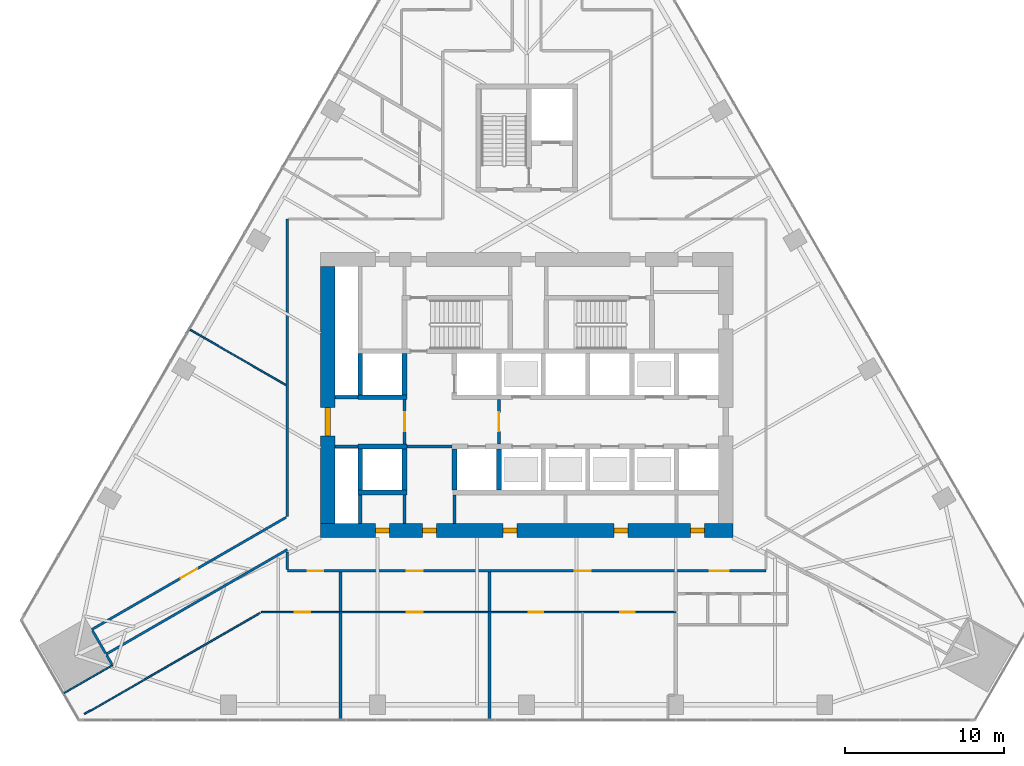
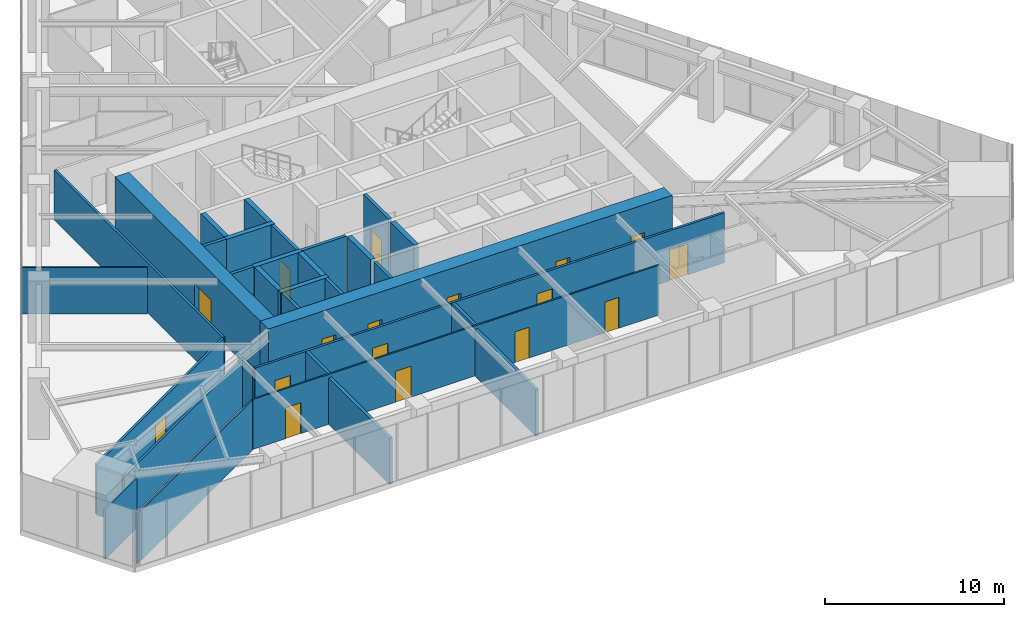
# One storey, part 16 of 21: 35 walls, 17 doors, 17 openings.
"""IFC4 building model written with IfcOpenShell, lengths in metres."""

from ifc_helpers import new_model, si_unit, direction, frame, frame_2d, origin, place, context, subcontext, project, spatial, rectangle, extrude, material, layer, layer_set, type_object, element, fill, save


model = new_model("IFC4")

# Units and contexts
model_context = context("Model", 3, precision=1e-05, world=origin(), true_north=direction((0.0, 1.0)))
body_context = subcontext(model_context, "Body", "Model", "MODEL_VIEW")
ifc_project = project(units=[si_unit("LENGTHUNIT", "METRE"), si_unit("AREAUNIT", "SQUARE_METRE"), si_unit("VOLUMEUNIT", "CUBIC_METRE"), si_unit("PLANEANGLEUNIT", "RADIAN"), si_unit("MASSUNIT", "GRAM", prefix="KILO")], contexts=[model_context])

# Site, building, storey
site_placement = place(None, origin())
site = spatial("IfcSite", under=ifc_project, at=site_placement, CompositionType="ELEMENT")
building_placement = place(site_placement, origin())
building = spatial("IfcBuilding", under=site, at=building_placement, Name="Firuza Gate Tower and Library", CompositionType="ELEMENT")
storey_placement = place(building_placement, frame((0.0, 0.0, 94.60009765625)))
storey = spatial("IfcBuildingStorey", under=building, at=storey_placement, Name="L21", CompositionType="ELEMENT", Elevation=94.60009765625)

# Walls
ifc_material_1 = material(Name="Plasterboard on steel studs", Category="steel")
ifc_layer_1 = layer(ifc_material_1, 0.199951171875)
ifc_layer_set_1 = layer_set([ifc_layer_1], Name="Core partition 200 EI 120")
wall_type_1 = type_object("IfcWallType", Name="Core partition 200 EI 120", PredefinedType="PARTITIONING", material=ifc_layer_set_1)
wall_1_placement = place(storey_placement, frame((62.89990234375, 71.75, 0.0), z_axis=(0.0, 0.0, 1.0), x_axis=(1.0, 0.0, 0.0)))
element("IfcWall", 1, at=wall_1_placement, inside=storey, type_object=wall_type_1, Name="Core partition L21 1", PredefinedType="PARTITIONING", context=body_context, shape_type="SweptSolid", body=[
    extrude(rectangle(XDim=1.4501953125, YDim=0.199951171875, at=frame_2d((0.72509765625, 0.0))), origin(), (0.0, 0.0, 1.0), 4.0),
])
wall_2_placement = place(storey_placement, frame((67.449951171875, 71.75, 0.0), z_axis=(0.0, 0.0, 1.0), x_axis=(1.0, 0.0, 0.0)))
element("IfcWall", 2, at=wall_2_placement, inside=storey, type_object=wall_type_1, Name="Core partition L21 2", PredefinedType="PARTITIONING", context=body_context, shape_type="SweptSolid", body=[
    extrude(rectangle(XDim=2.85009765625, YDim=0.199951171875, at=frame_2d((1.425048828125, 0.0))), origin(), (0.0, 0.0, 1.0), 4.0),
])
wall_3_placement = place(storey_placement, frame((62.89990234375, 74.85009765625, 0.0), z_axis=(0.0, 0.0, 1.0), x_axis=(1.0, 0.0, 0.0)))
element("IfcWall", 3, at=wall_3_placement, inside=storey, type_object=wall_type_1, Name="Core partition L21 3", PredefinedType="PARTITIONING", context=body_context, shape_type="SweptSolid", body=[
    extrude(rectangle(XDim=1.4501953125, YDim=0.199951171875, at=frame_2d((0.72509765625, 0.0))), origin(), (0.0, 0.0, 1.0), 4.0),
])
for number, where, z_axis, x_axis, name in (
    (4, (64.5, 66.89990234375, 0.0), (0.0, 0.0, 1.0), (0.0, 1.0, 0.0), "Core partition L21 5"),
    (5, (67.300048828125, 66.89990234375, 0.0), (0.0, 0.0, 1.0), (0.0, 1.0, 0.0), "Core partition L21 7"),
    (6, (70.449951171875, 66.89990234375, 0.0), (0.0, 0.0, 1.0), (0.0, 1.0, 0.0), "Core partition L21 10"),
):
    element("IfcWall", number, at=place(storey_placement, frame(where, z_axis=z_axis, x_axis=x_axis)), inside=storey, type_object=wall_type_1, Name=name, PredefinedType="PARTITIONING", context=body_context, shape_type="SweptSolid", body=[
        extrude(rectangle(XDim=1.800048828125, YDim=0.199951171875, at=frame_2d((0.89990234375, 0.0))), origin(), (0.0, 0.0, 1.0), 4.0),
    ])

# Wall, opening, door
ifc_material_2 = material(Name="Plasterboard on steel studs", Category="steel")
ifc_layer_2 = layer(ifc_material_2, 0.199951171875)
ifc_layer_set_2 = layer_set([ifc_layer_2], Name="Core partition 200 EI 60")
wall_type_2 = type_object("IfcWallType", Name="Core partition 200 EI 60", PredefinedType="PARTITIONING", material=ifc_layer_set_2)
wall_4_placement = place(storey_placement, frame((67.300048828125, 71.89990234375, 0.0), z_axis=(0.0, 0.0, 1.0), x_axis=(0.0, 1.0, 0.0)))
wall_4 = element("IfcWall", 7, at=wall_4_placement, inside=storey, type_object=wall_type_2, Name="Core partition L21 8", PredefinedType="PARTITIONING", context=body_context, shape_type="SweptSolid", body=[
    extrude(rectangle(XDim=2.800048828125, YDim=0.199951171875, at=frame_2d((1.39990234375, 0.0))), origin(), (0.0, 0.0, 1.0), 4.0),
])
opening_1_placement = place(wall_4_placement, frame((0.800048828125, 0.0, 0.0)))
opening_1 = element("IfcOpeningElement", 8, at=opening_1_placement, cuts=wall_4, Name="Opening L21-K21", PredefinedType="OPENING", context=body_context, shape_type="SweptSolid", body=[
    extrude(rectangle(XDim=1.199951171875, YDim=2.10009765625, at=frame_2d((0.60009765625, 1.050048828125))), frame((0.0, 0.10986328125, 0.0), z_axis=(0.0, -1.0, 0.0), x_axis=(1.0, 0.0, 0.0)), (0.0, 0.0, 1.0), 0.219970703125),
])
ifc_material_3 = material(Name="Steel", Category="steel")
door_type_1 = type_object("IfcDoorType", Name="Fire door 1200x2100 FD90S", OperationType="NOTDEFINED", PredefinedType="DOOR", material=ifc_material_3)
door_1_placement = place(opening_1_placement, origin())
door_1 = element("IfcDoor", 9, at=door_1_placement, inside=storey, type_object=door_type_1, Name="Door L21-K21", OperationType="SINGLE_SWING_RIGHT", OverallHeight=2.10009765625, OverallWidth=1.199951171875, PredefinedType="DOOR", context=body_context, shape_type="SweptSolid", body=[
    extrude(rectangle(XDim=1.199951171875, YDim=2.10009765625, at=frame_2d((0.60009765625, 1.050048828125))), frame((0.0, 0.02490234375, 0.0), z_axis=(0.0, -1.0, 0.0), x_axis=(1.0, 0.0, 0.0)), (0.0, 0.0, 1.0), 0.050048828125),
])
fill(opening_1, door_1)

wall_5_placement = place(storey_placement, frame((73.25, 71.89990234375, 0.0), z_axis=(0.0, 0.0, 1.0), x_axis=(0.0, 1.0, 0.0)))
wall_5 = element("IfcWall", 10, at=wall_5_placement, inside=storey, type_object=wall_type_2, Name="Core partition L21 11", PredefinedType="PARTITIONING", context=body_context, shape_type="SweptSolid", body=[
    extrude(rectangle(XDim=2.800048828125, YDim=0.199951171875, at=frame_2d((1.39990234375, 0.0))), origin(), (0.0, 0.0, 1.0), 4.0),
])
opening_2_placement = place(wall_5_placement, frame((0.800048828125, 0.0, 0.0)))
opening_2 = element("IfcOpeningElement", 11, at=opening_2_placement, cuts=wall_5, Name="Opening L21-K20", PredefinedType="OPENING", context=body_context, shape_type="SweptSolid", body=[
    extrude(rectangle(XDim=1.199951171875, YDim=2.10009765625, at=frame_2d((0.60009765625, 1.050048828125))), frame((0.0, 0.10986328125, 0.0), z_axis=(0.0, -1.0, 0.0), x_axis=(1.0, 0.0, 0.0)), (0.0, 0.0, 1.0), 0.219970703125),
])
door_2_placement = place(opening_2_placement, origin())
door_2 = element("IfcDoor", 12, at=door_2_placement, inside=storey, type_object=door_type_1, Name="Door L21-K20", OperationType="SINGLE_SWING_LEFT", OverallHeight=2.10009765625, OverallWidth=1.199951171875, PredefinedType="DOOR", context=body_context, shape_type="SweptSolid", body=[
    extrude(rectangle(XDim=1.199951171875, YDim=2.10009765625, at=frame_2d((0.60009765625, 1.050048828125))), frame((0.0, 0.02490234375, 0.0), z_axis=(0.0, -1.0, 0.0), x_axis=(1.0, 0.0, 0.0)), (0.0, 0.0, 1.0), 0.050048828125),
])
fill(opening_2, door_2)

# Walls
ifc_material_4 = material(Name="Concrete C80/95", Category="concrete")
ifc_layer_3 = layer(ifc_material_4, 0.300048828125)
ifc_layer_set_3 = layer_set([ifc_layer_3], Name="Core wall 300 C80/95")
wall_type_3 = type_object("IfcWallType", Name="Core wall 300 C80/95", PredefinedType="SHEAR", material=ifc_layer_set_3)
for number, where, z_axis, x_axis, name in (
    (13, (64.35009765625, 68.85009765625, 0.0), (0.0, 0.0, 1.0), (1.0, 0.0, 0.0), "Core wall L21 5"),
    (14, (64.35009765625, 71.75, 0.0), (0.0, 0.0, 1.0), (1.0, 0.0, 0.0), "Core wall L21 7"),
    (15, (64.35009765625, 74.85009765625, 0.0), (0.0, 0.0, 1.0), (1.0, 0.0, 0.0), "Core wall L21 9"),
):
    element("IfcWall", number, at=place(storey_placement, frame(where, z_axis=z_axis, x_axis=x_axis)), inside=storey, type_object=wall_type_3, Name=name, PredefinedType="SHEAR", context=body_context, shape_type="SweptSolid", body=[
        extrude(rectangle(XDim=3.099853515625, YDim=0.300048828125, at=frame_2d((1.5498046875, 0.0))), origin(), (0.0, 0.0, 1.0), 4.0),
    ])
for number, where, z_axis, x_axis, name in (
    (16, (64.5, 69.0, 0.0), (0.0, 0.0, 1.0), (0.0, 1.0, 0.0), "Core wall L21 11"),
    (17, (64.5, 75.0, 0.0), (0.0, 0.0, 1.0), (0.0, 1.0, 0.0), "Core wall L21 12"),
    (18, (67.300048828125, 69.0, 0.0), (0.0, 0.0, 1.0), (0.0, 1.0, 0.0), "Core wall L21 13"),
    (19, (67.300048828125, 75.0, 0.0), (0.0, 0.0, 1.0), (0.0, 1.0, 0.0), "Core wall L21 14"),
    (20, (70.449951171875, 69.0, 0.0), (0.0, 0.0, 1.0), (0.0, 1.0, 0.0), "Core wall L21 15"),
    (21, (73.25, 69.0, 0.0), (0.0, 0.0, 1.0), (0.0, 1.0, 0.0), "Core wall L21 17"),
):
    element("IfcWall", number, at=place(storey_placement, frame(where, z_axis=z_axis, x_axis=x_axis)), inside=storey, type_object=wall_type_3, Name=name, PredefinedType="SHEAR", context=body_context, shape_type="SweptSolid", body=[
        extrude(rectangle(XDim=2.60009765625, YDim=0.300048828125, at=frame_2d((1.300048828125, 0.0))), origin(), (0.0, 0.0, 1.0), 4.0),
    ])

# Wall, openings, doors
ifc_material_5 = material(Name="Concrete C80/95", Category="concrete")
ifc_layer_4 = layer(ifc_material_5, 0.89990234375)
ifc_layer_set_4 = layer_set([ifc_layer_4], Name="Core wall 900 C80/95")
wall_type_4 = type_object("IfcWallType", Name="Core wall 900 C80/95", PredefinedType="SHEAR", material=ifc_layer_set_4)
wall_6_placement = place(storey_placement, frame((62.0, 66.449951171875, 0.0), z_axis=(0.0, 0.0, 1.0), x_axis=(1.0, 0.0, 0.0)))
wall_6 = element("IfcWall", 22, at=wall_6_placement, inside=storey, type_object=wall_type_4, Name="Core wall L21 1", PredefinedType="SHEAR", context=body_context, shape_type="SweptSolid", body=[
    extrude(rectangle(XDim=26.0, YDim=0.89990234375, at=frame_2d((13.0, 0.0))), origin(), (0.0, 0.0, 1.0), 4.0),
])
opening_3_placement = place(wall_6_placement, frame((3.449951171875, 0.0, 0.0)))
opening_3 = element("IfcOpeningElement", 23, at=opening_3_placement, cuts=wall_6, Name="Opening L21-K24", PredefinedType="OPENING", context=body_context, shape_type="SweptSolid", body=[
    extrude(rectangle(XDim=0.89990234375, YDim=2.10009765625, at=frame_2d((0.449951171875, 1.050048828125))), frame((0.0, 0.4599609375, 0.0), z_axis=(0.0, -1.0, 0.0), x_axis=(1.0, 0.0, 0.0)), (0.0, 0.0, 1.0), 0.919921875),
])
opening_4_placement = place(wall_6_placement, frame((6.425048828125, 0.0, 0.0)))
opening_4 = element("IfcOpeningElement", 24, at=opening_4_placement, cuts=wall_6, Name="Opening L21-K25", PredefinedType="OPENING", context=body_context, shape_type="SweptSolid", body=[
    extrude(rectangle(XDim=0.89990234375, YDim=2.10009765625, at=frame_2d((0.449951171875, 1.050048828125))), frame((0.0, 0.4599609375, 0.0), z_axis=(0.0, -1.0, 0.0), x_axis=(1.0, 0.0, 0.0)), (0.0, 0.0, 1.0), 0.919921875),
])
opening_5_placement = place(wall_6_placement, frame((11.5, 0.0, 0.0)))
opening_5 = element("IfcOpeningElement", 25, at=opening_5_placement, cuts=wall_6, Name="Opening L21-K26", PredefinedType="OPENING", context=body_context, shape_type="SweptSolid", body=[
    extrude(rectangle(XDim=0.89990234375, YDim=2.10009765625, at=frame_2d((0.449951171875, 1.050048828125))), frame((0.0, 0.4599609375, 0.0), z_axis=(0.0, -1.0, 0.0), x_axis=(1.0, 0.0, 0.0)), (0.0, 0.0, 1.0), 0.919921875),
])
opening_6_placement = place(wall_6_placement, frame((18.5, 0.0, 0.0)))
opening_6 = element("IfcOpeningElement", 26, at=opening_6_placement, cuts=wall_6, Name="Opening L21-K27", PredefinedType="OPENING", context=body_context, shape_type="SweptSolid", body=[
    extrude(rectangle(XDim=0.89990234375, YDim=2.10009765625, at=frame_2d((0.449951171875, 1.050048828125))), frame((0.0, 0.4599609375, 0.0), z_axis=(0.0, -1.0, 0.0), x_axis=(1.0, 0.0, 0.0)), (0.0, 0.0, 1.0), 0.919921875),
])
opening_7_placement = place(wall_6_placement, frame((23.324951171875, 0.0, 0.0)))
opening_7 = element("IfcOpeningElement", 27, at=opening_7_placement, cuts=wall_6, Name="Opening L21-K28", PredefinedType="OPENING", context=body_context, shape_type="SweptSolid", body=[
    extrude(rectangle(XDim=0.89990234375, YDim=2.10009765625, at=frame_2d((0.449951171875, 1.050048828125))), frame((0.0, 0.4599609375, 0.0), z_axis=(0.0, -1.0, 0.0), x_axis=(1.0, 0.0, 0.0)), (0.0, 0.0, 1.0), 0.919921875),
])
ifc_material_6 = material(Name="Steel", Category="steel")
door_type_2 = type_object("IfcDoorType", Name="Fire door 900x2100 FD30S", OperationType="NOTDEFINED", PredefinedType="DOOR", material=ifc_material_6)
door_3_placement = place(opening_3_placement, origin())
door_3 = element("IfcDoor", 28, at=door_3_placement, inside=storey, type_object=door_type_2, Name="Door L21-K24", OperationType="SINGLE_SWING_LEFT", OverallHeight=2.10009765625, OverallWidth=0.89990234375, PredefinedType="DOOR", context=body_context, shape_type="SweptSolid", body=[
    extrude(rectangle(XDim=0.89990234375, YDim=2.10009765625, at=frame_2d((0.449951171875, 1.050048828125))), frame((0.0, 0.169921875, 0.0), z_axis=(0.0, -1.0, 0.0), x_axis=(1.0, 0.0, 0.0)), (0.0, 0.0, 1.0), 0.33984375),
])
fill(opening_3, door_3)
door_4_placement = place(opening_4_placement, origin())
door_4 = element("IfcDoor", 29, at=door_4_placement, inside=storey, type_object=door_type_2, Name="Door L21-K25", OperationType="SINGLE_SWING_RIGHT", OverallHeight=2.10009765625, OverallWidth=0.89990234375, PredefinedType="DOOR", context=body_context, shape_type="SweptSolid", body=[
    extrude(rectangle(XDim=0.89990234375, YDim=2.10009765625, at=frame_2d((0.449951171875, 1.050048828125))), frame((0.0, 0.169921875, 0.0), z_axis=(0.0, -1.0, 0.0), x_axis=(1.0, 0.0, 0.0)), (0.0, 0.0, 1.0), 0.33984375),
])
fill(opening_4, door_4)
door_5_placement = place(opening_5_placement, origin())
door_5 = element("IfcDoor", 30, at=door_5_placement, inside=storey, type_object=door_type_2, Name="Door L21-K26", OperationType="SINGLE_SWING_LEFT", OverallHeight=2.10009765625, OverallWidth=0.89990234375, PredefinedType="DOOR", context=body_context, shape_type="SweptSolid", body=[
    extrude(rectangle(XDim=0.89990234375, YDim=2.10009765625, at=frame_2d((0.449951171875, 1.050048828125))), frame((0.0, 0.169921875, 0.0), z_axis=(0.0, -1.0, 0.0), x_axis=(1.0, 0.0, 0.0)), (0.0, 0.0, 1.0), 0.33984375),
])
fill(opening_5, door_5)
door_6_placement = place(opening_6_placement, origin())
door_6 = element("IfcDoor", 31, at=door_6_placement, inside=storey, type_object=door_type_2, Name="Door L21-K27", OperationType="SINGLE_SWING_RIGHT", OverallHeight=2.10009765625, OverallWidth=0.89990234375, PredefinedType="DOOR", context=body_context, shape_type="SweptSolid", body=[
    extrude(rectangle(XDim=0.89990234375, YDim=2.10009765625, at=frame_2d((0.449951171875, 1.050048828125))), frame((0.0, 0.169921875, 0.0), z_axis=(0.0, -1.0, 0.0), x_axis=(1.0, 0.0, 0.0)), (0.0, 0.0, 1.0), 0.33984375),
])
fill(opening_6, door_6)
door_7_placement = place(opening_7_placement, origin())
door_7 = element("IfcDoor", 32, at=door_7_placement, inside=storey, type_object=door_type_2, Name="Door L21-K28", OperationType="SINGLE_SWING_LEFT", OverallHeight=2.10009765625, OverallWidth=0.89990234375, PredefinedType="DOOR", context=body_context, shape_type="SweptSolid", body=[
    extrude(rectangle(XDim=0.89990234375, YDim=2.10009765625, at=frame_2d((0.449951171875, 1.050048828125))), frame((0.0, 0.169921875, 0.0), z_axis=(0.0, -1.0, 0.0), x_axis=(1.0, 0.0, 0.0)), (0.0, 0.0, 1.0), 0.33984375),
])
fill(opening_7, door_7)

# Wall, opening, door
wall_7_placement = place(storey_placement, frame((62.449951171875, 66.89990234375, 0.0), z_axis=(0.0, 0.0, 1.0), x_axis=(0.0, 1.0, 0.0)))
wall_7 = element("IfcWall", 33, at=wall_7_placement, inside=storey, type_object=wall_type_4, Name="Core wall L21 3", PredefinedType="SHEAR", context=body_context, shape_type="SweptSolid", body=[
    extrude(rectangle(XDim=16.2001953125, YDim=0.89990234375, at=frame_2d((8.10009765625, 0.0))), origin(), (0.0, 0.0, 1.0), 4.0),
])
opening_8_placement = place(wall_7_placement, frame((5.5, 0.0, 0.0)))
opening_8 = element("IfcOpeningElement", 34, at=opening_8_placement, cuts=wall_7, Name="Opening L21-K22", PredefinedType="OPENING", context=body_context, shape_type="SweptSolid", body=[
    extrude(rectangle(XDim=1.800048828125, YDim=2.10009765625, at=frame_2d((0.89990234375, 1.050048828125))), frame((0.0, 0.4599609375, 0.0), z_axis=(0.0, -1.0, 0.0), x_axis=(1.0, 0.0, 0.0)), (0.0, 0.0, 1.0), 0.919921875),
])
ifc_material_7 = material(Name="Steel", Category="steel")
door_type_3 = type_object("IfcDoorType", Name="Fire door 1800x2100 FD30S", OperationType="NOTDEFINED", PredefinedType="DOOR", material=ifc_material_7)
door_8_placement = place(opening_8_placement, origin())
door_8 = element("IfcDoor", 35, at=door_8_placement, inside=storey, type_object=door_type_3, Name="Door L21-K22", OperationType="SINGLE_SWING_LEFT", OverallHeight=2.10009765625, OverallWidth=1.800048828125, PredefinedType="DOOR", context=body_context, shape_type="SweptSolid", body=[
    extrude(rectangle(XDim=1.800048828125, YDim=2.10009765625, at=frame_2d((0.89990234375, 1.050048828125))), frame((0.0, 0.169921875, 0.0), z_axis=(0.0, -1.0, 0.0), x_axis=(1.0, 0.0, 0.0)), (0.0, 0.0, 1.0), 0.33984375),
])
fill(opening_8, door_8)

# Wall, openings, doors
ifc_material_8 = material(Name="Gypsum board partition")
ifc_layer_5 = layer(ifc_material_8, 0.14990234375)
ifc_layer_set_5 = layer_set([ifc_layer_5], Name="Corridor wall 150 double board on steel studs")
wall_type_5 = type_object("IfcWallType", Name="Corridor wall 150 double board on steel studs", PredefinedType="PARTITIONING", material=ifc_layer_set_5)
wall_8_placement = place(storey_placement, frame((90.10009765625, 63.89990234375, 0.0), z_axis=(0.0, 0.0, 1.0), x_axis=(-1.0, 0.0, 0.0)))
wall_8 = element("IfcWall", 36, at=wall_8_placement, inside=storey, type_object=wall_type_5, Name="f:L21:w004", PredefinedType="PARTITIONING", context=body_context, shape_type="SweptSolid", body=[
    extrude(rectangle(XDim=30.19970703125, YDim=0.14990234375, at=frame_2d((15.099853515625, 0.0))), origin(), (0.0, 0.0, 1.0), 3.39990234375),
])
opening_9_placement = place(wall_8_placement, frame((2.349853515625, 0.0, 0.0)))
opening_9 = element("IfcOpeningElement", 37, at=opening_9_placement, cuts=wall_8, Name="Opening L21-08", PredefinedType="OPENING", context=body_context, shape_type="SweptSolid", body=[
    extrude(rectangle(XDim=1.199951171875, YDim=2.10009765625, at=frame_2d((0.60009765625, 1.050048828125))), frame((0.0, 0.0849609375, 0.0), z_axis=(0.0, -1.0, 0.0), x_axis=(1.0, 0.0, 0.0)), (0.0, 0.0, 1.0), 0.169921875),
])
opening_10_placement = place(wall_8_placement, frame((11.07373046875, 0.0, 0.0)))
opening_10 = element("IfcOpeningElement", 38, at=opening_10_placement, cuts=wall_8, Name="Opening L21-09", PredefinedType="OPENING", context=body_context, shape_type="SweptSolid", body=[
    extrude(rectangle(XDim=1.0, YDim=2.10009765625, at=frame_2d((0.5, 1.050048828125))), frame((0.0, 0.0849609375, 0.0), z_axis=(0.0, -1.0, 0.0), x_axis=(1.0, 0.0, 0.0)), (0.0, 0.0, 1.0), 0.169921875),
])
opening_11_placement = place(wall_8_placement, frame((21.652587890625, 0.0, 0.0)))
opening_11 = element("IfcOpeningElement", 39, at=opening_11_placement, cuts=wall_8, Name="Opening L21-10", PredefinedType="OPENING", context=body_context, shape_type="SweptSolid", body=[
    extrude(rectangle(XDim=1.0, YDim=2.10009765625, at=frame_2d((0.5, 1.050048828125))), frame((0.0, 0.0849609375, 0.0), z_axis=(0.0, -1.0, 0.0), x_axis=(1.0, 0.0, 0.0)), (0.0, 0.0, 1.0), 0.169921875),
])
opening_12_placement = place(wall_8_placement, frame((27.92529296875, 0.0, 0.0)))
opening_12 = element("IfcOpeningElement", 40, at=opening_12_placement, cuts=wall_8, Name="Opening L21-11", PredefinedType="OPENING", context=body_context, shape_type="SweptSolid", body=[
    extrude(rectangle(XDim=1.0, YDim=2.10009765625, at=frame_2d((0.5, 1.050048828125))), frame((0.0, 0.0849609375, 0.0), z_axis=(0.0, -1.0, 0.0), x_axis=(1.0, 0.0, 0.0)), (0.0, 0.0, 1.0), 0.169921875),
])
ifc_material_9 = material(Name="Steel door and timber leaf", Category="steel")
door_type_4 = type_object("IfcDoorType", Name="Fire door 1000 x 2100 steel frame, timber leaf", OperationType="NOTDEFINED", PredefinedType="DOOR", material=ifc_material_9)
door_9_placement = place(opening_10_placement, origin())
door_9 = element("IfcDoor", 41, at=door_9_placement, inside=storey, type_object=door_type_4, Name="f:L21:d009", OperationType="SINGLE_SWING_RIGHT", OverallHeight=2.10009765625, OverallWidth=1.0, PredefinedType="DOOR", context=body_context, shape_type="SweptSolid", body=[
    extrude(rectangle(XDim=1.0, YDim=2.10009765625, at=frame_2d((0.5, 1.050048828125))), frame((0.0, 0.02490234375, 0.0), z_axis=(0.0, -1.0, 0.0), x_axis=(1.0, 0.0, 0.0)), (0.0, 0.0, 1.0), 0.050048828125),
])
fill(opening_10, door_9)
door_10_placement = place(opening_11_placement, origin())
door_10 = element("IfcDoor", 42, at=door_10_placement, inside=storey, type_object=door_type_4, Name="f:L21:d010", OperationType="SINGLE_SWING_LEFT", OverallHeight=2.10009765625, OverallWidth=1.0, PredefinedType="DOOR", context=body_context, shape_type="SweptSolid", body=[
    extrude(rectangle(XDim=1.0, YDim=2.10009765625, at=frame_2d((0.5, 1.050048828125))), frame((0.0, 0.02490234375, 0.0), z_axis=(0.0, -1.0, 0.0), x_axis=(1.0, 0.0, 0.0)), (0.0, 0.0, 1.0), 0.050048828125),
])
fill(opening_11, door_10)
door_11_placement = place(opening_12_placement, origin())
door_11 = element("IfcDoor", 43, at=door_11_placement, inside=storey, type_object=door_type_4, Name="f:L21:d011", OperationType="SINGLE_SWING_LEFT", OverallHeight=2.10009765625, OverallWidth=1.0, PredefinedType="DOOR", context=body_context, shape_type="SweptSolid", body=[
    extrude(rectangle(XDim=1.0, YDim=2.10009765625, at=frame_2d((0.5, 1.050048828125))), frame((0.0, 0.02490234375, 0.0), z_axis=(0.0, -1.0, 0.0), x_axis=(1.0, 0.0, 0.0)), (0.0, 0.0, 1.0), 0.050048828125),
])
fill(opening_12, door_11)
ifc_material_10 = material(Name="Steel door and timber leaf", Category="steel")
door_type_5 = type_object("IfcDoorType", Name="Fire door 1200 x 2100 steel frame, double leaf", OperationType="NOTDEFINED", PredefinedType="DOOR", material=ifc_material_10)
door_12_placement = place(opening_9_placement, origin())
door_12 = element("IfcDoor", 44, at=door_12_placement, inside=storey, type_object=door_type_5, Name="f:L21:d008", OperationType="DOUBLE_DOOR_SINGLE_SWING", OverallHeight=2.10009765625, OverallWidth=1.199951171875, PredefinedType="DOOR", context=body_context, shape_type="SweptSolid", body=[
    extrude(rectangle(XDim=1.199951171875, YDim=2.10009765625, at=frame_2d((0.60009765625, 1.050048828125))), frame((0.0, 0.02490234375, 0.0), z_axis=(0.0, -1.0, 0.0), x_axis=(1.0, 0.0, 0.0)), (0.0, 0.0, 1.0), 0.050048828125),
])
fill(opening_9, door_12)

# Wall
wall_9_placement = place(storey_placement, frame((48.470947265625, 58.644287109375, 0.0), z_axis=(0.0, 0.0, 1.0), x_axis=(0.86602138367, 0.500006962977, 0.0)))
element("IfcWall", 45, at=wall_9_placement, inside=storey, type_object=wall_type_5, Name="f:L21:w019", PredefinedType="PARTITIONING", context=body_context, shape_type="SweptSolid", body=[
    extrude(rectangle(XDim=13.197021484375, YDim=0.14990234375, at=frame_2d((6.5986328125, 0.0))), origin(), (0.0, 0.0, 1.0), 3.246826171875),
])

# Wall, opening, door
wall_10_placement = place(storey_placement, frame((47.5712890625, 60.203369140625, 0.0), z_axis=(0.0, 0.0, 1.0), x_axis=(0.866023815059, 0.500002751744, 0.0)))
wall_10 = element("IfcWall", 46, at=wall_10_placement, inside=storey, type_object=wall_type_5, Name="f:L21:w020", PredefinedType="PARTITIONING", context=body_context, shape_type="SweptSolid", body=[
    extrude(rectangle(XDim=14.1494140625, YDim=0.14990234375, at=frame_2d((7.07470703125, 0.0))), origin(), (0.0, 0.0, 1.0), 3.39990234375),
])
opening_13_placement = place(wall_10_placement, frame((6.474609375, 0.0, 0.0)))
opening_13 = element("IfcOpeningElement", 47, at=opening_13_placement, cuts=wall_10, Name="Opening L21-20", PredefinedType="OPENING", context=body_context, shape_type="SweptSolid", body=[
    extrude(rectangle(XDim=1.199951171875, YDim=2.10009765625, at=frame_2d((0.60009765625, 1.050048828125))), frame((0.0, 0.0849609375, 0.0), z_axis=(0.0, -1.0, 0.0), x_axis=(1.0, 0.0, 0.0)), (0.0, 0.0, 1.0), 0.169921875),
])
door_13_placement = place(opening_13_placement, origin())
door_13 = element("IfcDoor", 48, at=door_13_placement, inside=storey, type_object=door_type_5, Name="f:L21:d020", OperationType="DOUBLE_DOOR_SINGLE_SWING", OverallHeight=2.10009765625, OverallWidth=1.199951171875, PredefinedType="DOOR", context=body_context, shape_type="SweptSolid", body=[
    extrude(rectangle(XDim=1.199951171875, YDim=2.10009765625, at=frame_2d((0.60009765625, 1.050048828125))), frame((0.0, 0.02490234375, 0.0), z_axis=(0.0, -1.0, 0.0), x_axis=(1.0, 0.0, 0.0)), (0.0, 0.0, 1.0), 0.050048828125),
])
fill(opening_13, door_13)

# Walls
wall_11_placement = place(storey_placement, frame((59.89990234375, 63.9755859375, 0.0), z_axis=(0.0, 0.0, 1.0), x_axis=(0.0, 1.0, 0.0)))
element("IfcWall", 49, at=wall_11_placement, inside=storey, type_object=wall_type_5, Name="f:L21:w047", PredefinedType="PARTITIONING", context=body_context, shape_type="SweptSolid", body=[
    extrude(rectangle(XDim=1.130615234375, YDim=0.14990234375, at=frame_2d((0.5654296875, 0.0))), origin(), (0.0, 0.0, 1.0), 3.246826171875),
])
wall_12_placement = place(storey_placement, frame((59.89990234375, 67.3212890625, 0.0), z_axis=(0.0, 0.0, 1.0), x_axis=(0.0, 1.0, 0.0)))
element("IfcWall", 50, at=wall_12_placement, inside=storey, type_object=wall_type_5, Name="f:L21:w048", PredefinedType="PARTITIONING", context=body_context, shape_type="SweptSolid", body=[
    extrude(rectangle(XDim=18.7783203125, YDim=0.14990234375, at=frame_2d((9.38916015625, 0.0))), origin(), (0.0, 0.0, 1.0), 3.39990234375),
])
wall_13_placement = place(storey_placement, frame((48.845458984375, 57.9951171875, 0.0), z_axis=(0.0, 0.0, 1.0), x_axis=(-0.499837337514, 0.866119296648, 0.0)))
element("IfcWall", 51, at=wall_13_placement, inside=storey, type_object=wall_type_5, Name="f:L21:w049", PredefinedType="PARTITIONING", context=body_context, shape_type="SweptSolid", body=[
    extrude(rectangle(XDim=0.674560546875, YDim=0.14990234375, at=frame_2d((0.33740234375, 0.0))), origin(), (0.0, 0.0, 1.0), 3.39990234375),
])
wall_14_placement = place(storey_placement, frame((48.433349609375, 58.709228515625, 0.0), z_axis=(0.0, 0.0, 1.0), x_axis=(-0.500055614084, 0.865993292597, 0.0)))
element("IfcWall", 52, at=wall_14_placement, inside=storey, type_object=wall_type_5, Name="f:L21:w061", PredefinedType="PARTITIONING", context=body_context, shape_type="SweptSolid", body=[
    extrude(rectangle(XDim=1.649169921875, YDim=0.14990234375, at=frame_2d((0.82470703125, 0.0))), origin(), (0.0, 0.0, 1.0), 3.246826171875),
])
ifc_material_11 = material(Name="Gypsum board partition")
ifc_layer_6 = layer(ifc_material_11, 0.199951171875)
ifc_layer_set_6 = layer_set([ifc_layer_6], Name="Demising wall 200 acoustic double stud")
wall_type_6 = type_object("IfcWallType", Name="Demising wall 200 acoustic double stud", PredefinedType="PARTITIONING", material=ifc_layer_set_6)
for number, where, z_axis, x_axis, name in (
    (53, (72.64892578125, 54.495849609375, 0.0), (0.0, 0.0, 1.0), (0.0, 1.0, 0.0), "f:L21:w039"),
    (54, (63.24609375, 54.495849609375, 0.0), (0.0, 0.0, 1.0), (0.0, 1.0, 0.0), "f:L21:w046"),
):
    element("IfcWall", number, at=place(storey_placement, frame(where, z_axis=z_axis, x_axis=x_axis)), inside=storey, type_object=wall_type_6, Name=name, PredefinedType="PARTITIONING", context=body_context, shape_type="SweptSolid", body=[
        extrude(rectangle(XDim=6.754150390625, YDim=0.199951171875, at=frame_2d((3.376953125, 0.0))), origin(), (0.0, 0.0, 1.0), 3.164794921875),
    ])
for number, where, z_axis, x_axis, name in (
    (55, (72.64892578125, 61.35009765625, 0.0), (0.0, 0.0, 1.0), (0.0, 1.0, 0.0), "f:L21:w063"),
    (56, (63.24609375, 61.35009765625, 0.0), (0.0, 0.0, 1.0), (0.0, 1.0, 0.0), "f:L21:w064"),
):
    element("IfcWall", number, at=place(storey_placement, frame(where, z_axis=z_axis, x_axis=x_axis)), inside=storey, type_object=wall_type_6, Name=name, PredefinedType="PARTITIONING", context=body_context, shape_type="SweptSolid", body=[
        extrude(rectangle(XDim=2.474853515625, YDim=0.199951171875, at=frame_2d((1.2373046875, 0.0))), origin(), (0.0, 0.0, 1.0), 3.39990234375),
    ])

# Wall, openings, doors
ifc_material_12 = material(Name="Gypsum board partition")
ifc_layer_7 = layer(ifc_material_12, 0.10009765625)
ifc_layer_set_7 = layer_set([ifc_layer_7], Name="Partition 100 gypsum board on steel studs")
wall_type_7 = type_object("IfcWallType", Name="Partition 100 gypsum board on steel studs", PredefinedType="PARTITIONING", material=ifc_layer_set_7)
wall_15_placement = place(storey_placement, frame((84.4033203125, 61.300048828125, 0.0), z_axis=(0.0, 0.0, 1.0), x_axis=(-1.0, 0.0, 0.0)))
wall_15 = element("IfcWall", 57, at=wall_15_placement, inside=storey, type_object=wall_type_7, Name="f:L21:w002", PredefinedType="PARTITIONING", context=body_context, shape_type="SweptSolid", body=[
    extrude(rectangle(XDim=26.13232421875, YDim=0.10009765625, at=frame_2d((13.066162109375, 0.0))), origin(), (0.0, 0.0, 1.0), 3.39990234375),
])
opening_14_placement = place(wall_15_placement, frame((2.590087890625, 0.0, 0.0)))
opening_14 = element("IfcOpeningElement", 58, at=opening_14_placement, cuts=wall_15, Name="Opening L21-01", PredefinedType="OPENING", context=body_context, shape_type="SweptSolid", body=[
    extrude(rectangle(XDim=0.89990234375, YDim=2.10009765625, at=frame_2d((0.449951171875, 1.050048828125))), frame((0.0, 0.06005859375, 0.0), z_axis=(0.0, -1.0, 0.0), x_axis=(1.0, 0.0, 0.0)), (0.0, 0.0, 1.0), 0.1201171875),
])
opening_15_placement = place(wall_15_placement, frame((8.3642578125, 0.0, 0.0)))
opening_15 = element("IfcOpeningElement", 59, at=opening_15_placement, cuts=wall_15, Name="Opening L21-02", PredefinedType="OPENING", context=body_context, shape_type="SweptSolid", body=[
    extrude(rectangle(XDim=0.89990234375, YDim=2.10009765625, at=frame_2d((0.449951171875, 1.050048828125))), frame((0.0, 0.06005859375, 0.0), z_axis=(0.0, -1.0, 0.0), x_axis=(1.0, 0.0, 0.0)), (0.0, 0.0, 1.0), 0.1201171875),
])
opening_16_placement = place(wall_15_placement, frame((15.955810546875, 0.0, 0.0)))
opening_16 = element("IfcOpeningElement", 60, at=opening_16_placement, cuts=wall_15, Name="Opening L21-03", PredefinedType="OPENING", context=body_context, shape_type="SweptSolid", body=[
    extrude(rectangle(XDim=1.0, YDim=2.10009765625, at=frame_2d((0.5, 1.050048828125))), frame((0.0, 0.06005859375, 0.0), z_axis=(0.0, -1.0, 0.0), x_axis=(1.0, 0.0, 0.0)), (0.0, 0.0, 1.0), 0.1201171875),
])
opening_17_placement = place(wall_15_placement, frame((23.044921875, 0.0, 0.0)))
opening_17 = element("IfcOpeningElement", 61, at=opening_17_placement, cuts=wall_15, Name="Opening L21-04", PredefinedType="OPENING", context=body_context, shape_type="SweptSolid", body=[
    extrude(rectangle(XDim=1.0, YDim=2.10009765625, at=frame_2d((0.5, 1.050048828125))), frame((0.0, 0.06005859375, 0.0), z_axis=(0.0, -1.0, 0.0), x_axis=(1.0, 0.0, 0.0)), (0.0, 0.0, 1.0), 0.1201171875),
])
ifc_material_13 = material(Name="Timber door", Category="wood")
door_type_6 = type_object("IfcDoorType", Name="Door 1000 x 2100 timber leaf", OperationType="NOTDEFINED", PredefinedType="DOOR", material=ifc_material_13)
door_14_placement = place(opening_16_placement, origin())
door_14 = element("IfcDoor", 62, at=door_14_placement, inside=storey, type_object=door_type_6, Name="f:L21:d003", OperationType="SINGLE_SWING_RIGHT", OverallHeight=2.10009765625, OverallWidth=1.0, PredefinedType="DOOR", context=body_context, shape_type="SweptSolid", body=[
    extrude(rectangle(XDim=1.0, YDim=2.10009765625, at=frame_2d((0.5, 1.050048828125))), frame((0.0, 0.02490234375, 0.0), z_axis=(0.0, -1.0, 0.0), x_axis=(1.0, 0.0, 0.0)), (0.0, 0.0, 1.0), 0.050048828125),
])
fill(opening_16, door_14)
door_15_placement = place(opening_17_placement, origin())
door_15 = element("IfcDoor", 63, at=door_15_placement, inside=storey, type_object=door_type_6, Name="f:L21:d004", OperationType="SINGLE_SWING_RIGHT", OverallHeight=2.10009765625, OverallWidth=1.0, PredefinedType="DOOR", context=body_context, shape_type="SweptSolid", body=[
    extrude(rectangle(XDim=1.0, YDim=2.10009765625, at=frame_2d((0.5, 1.050048828125))), frame((0.0, 0.02490234375, 0.0), z_axis=(0.0, -1.0, 0.0), x_axis=(1.0, 0.0, 0.0)), (0.0, 0.0, 1.0), 0.050048828125),
])
fill(opening_17, door_15)
ifc_material_14 = material(Name="Timber door", Category="wood")
door_type_7 = type_object("IfcDoorType", Name="Door 900 x 2100 timber leaf", OperationType="NOTDEFINED", PredefinedType="DOOR", material=ifc_material_14)
door_16_placement = place(opening_14_placement, origin())
door_16 = element("IfcDoor", 64, at=door_16_placement, inside=storey, type_object=door_type_7, Name="f:L21:d001", OperationType="SINGLE_SWING_RIGHT", OverallHeight=2.10009765625, OverallWidth=0.89990234375, PredefinedType="DOOR", context=body_context, shape_type="SweptSolid", body=[
    extrude(rectangle(XDim=0.89990234375, YDim=2.10009765625, at=frame_2d((0.449951171875, 1.050048828125))), frame((0.0, 0.02490234375, 0.0), z_axis=(0.0, -1.0, 0.0), x_axis=(1.0, 0.0, 0.0)), (0.0, 0.0, 1.0), 0.050048828125),
])
fill(opening_14, door_16)
door_17_placement = place(opening_15_placement, origin())
door_17 = element("IfcDoor", 65, at=door_17_placement, inside=storey, type_object=door_type_7, Name="f:L21:d002", OperationType="SINGLE_SWING_LEFT", OverallHeight=2.10009765625, OverallWidth=0.89990234375, PredefinedType="DOOR", context=body_context, shape_type="SweptSolid", body=[
    extrude(rectangle(XDim=0.89990234375, YDim=2.10009765625, at=frame_2d((0.449951171875, 1.050048828125))), frame((0.0, 0.02490234375, 0.0), z_axis=(0.0, -1.0, 0.0), x_axis=(1.0, 0.0, 0.0)), (0.0, 0.0, 1.0), 0.050048828125),
])
fill(opening_15, door_17)

# Walls
wall_16_placement = place(storey_placement, frame((47.519287109375, 55.0927734375, 0.0), z_axis=(0.0, 0.0, 1.0), x_axis=(0.866028767292, 0.499994174189, 0.0)))
element("IfcWall", 66, at=wall_16_placement, inside=storey, type_object=wall_type_7, Name="f:L21:w016", PredefinedType="PARTITIONING", context=body_context, shape_type="SweptSolid", body=[
    extrude(rectangle(XDim=12.314697265625, YDim=0.10009765625, at=frame_2d((6.1572265625, 0.0))), origin(), (0.0, 0.0, 1.0), 3.39990234375),
])
wall_17_placement = place(storey_placement, frame((47.10009765625, 54.87255859375, 0.0), z_axis=(0.0, 0.0, 1.0), x_axis=(0.865944638795, 0.50013986298, 0.0)))
element("IfcWall", 67, at=wall_17_placement, inside=storey, type_object=wall_type_7, Name="f:L21:w017", PredefinedType="PARTITIONING", context=body_context, shape_type="SweptSolid", body=[
    extrude(rectangle(XDim=0.472412109375, YDim=0.10009765625, at=frame_2d((0.236328125, 0.0))), origin(), (0.0, 0.0, 1.0), 3.39990234375),
])
wall_18_placement = place(storey_placement, frame((45.787841796875, 56.17138671875, 0.0), z_axis=(0.0, 0.0, 1.0), x_axis=(0.866031398331, 0.499989616998, 0.0)))
element("IfcWall", 68, at=wall_18_placement, inside=storey, type_object=wall_type_7, Name="f:L21:w018", PredefinedType="PARTITIONING", context=body_context, shape_type="SweptSolid", body=[
    extrude(rectangle(XDim=3.5595703125, YDim=0.10009765625, at=frame_2d((1.77978515625, 0.0))), origin(), (0.0, 0.0, 1.0), 3.39990234375),
])
wall_19_placement = place(storey_placement, frame((59.798828125, 75.63232421875, 0.0), z_axis=(0.0, 0.0, 1.0), x_axis=(-0.866018287837, 0.500012324981, 0.0)))
element("IfcWall", 69, at=wall_19_placement, inside=storey, type_object=wall_type_7, Name="f:L21:w057", PredefinedType="PARTITIONING", context=body_context, shape_type="SweptSolid", body=[
    extrude(rectangle(XDim=7.023193359375, YDim=0.10009765625, at=frame_2d((3.51171875, 0.0))), origin(), (0.0, 0.0, 1.0), 3.164794921875),
])

save(model, "model.ifc")
